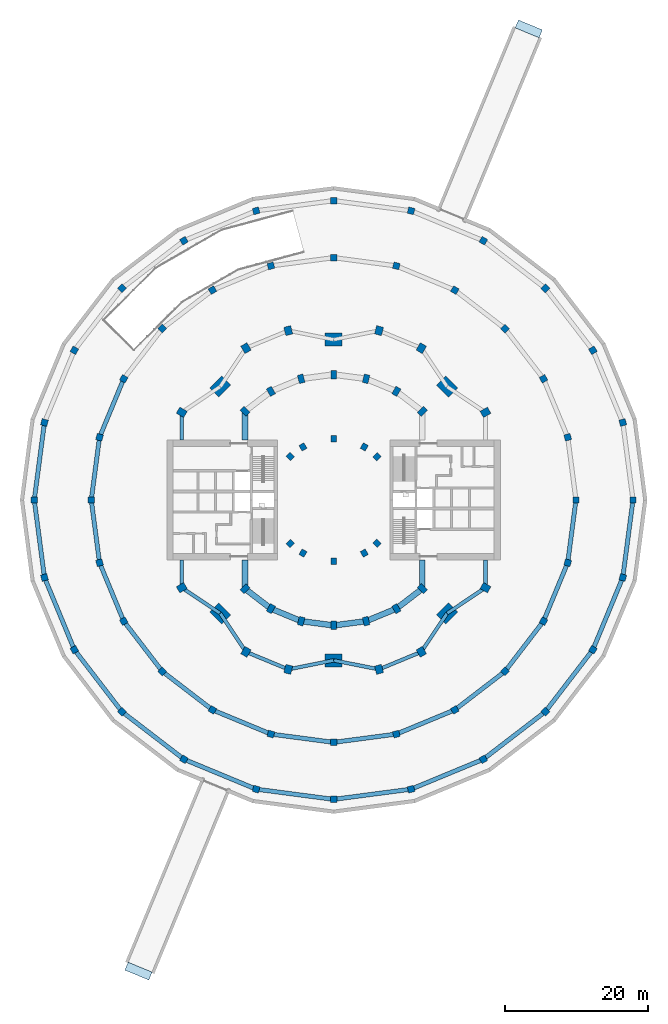
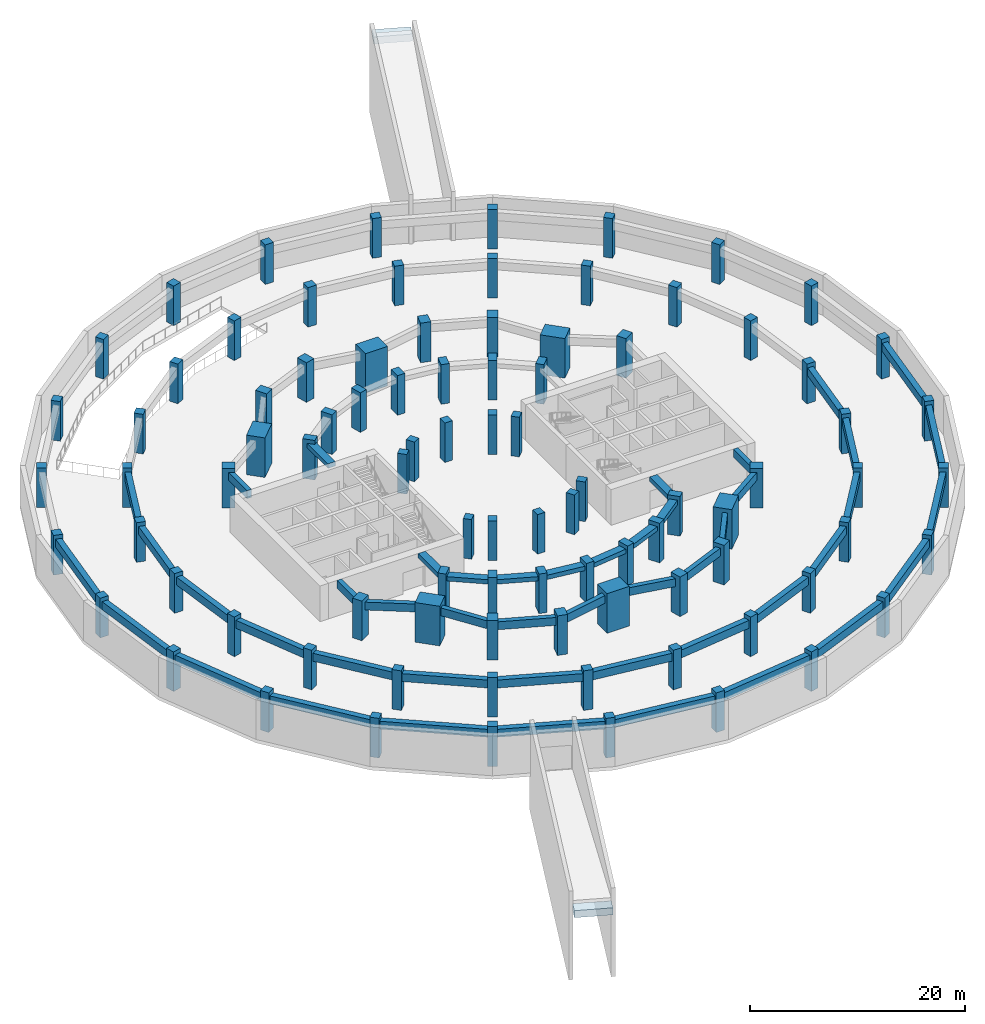
# One storey, part 1 of 7: 90 columns, 47 beams, 2 footings.
"""IFC4 building model written with IfcOpenShell, lengths in metres."""

import ifcopenshell
import ifcopenshell.guid

model = None  # the IFC model being written
_history = None  # IfcOwnerHistory: only IFC2X3 demands one
_inside = {}  # id of a spatial element -> (the spatial element, [elements in it])
_under = {}  # id of a project, library or spatial element -> (it, [spatial elements below it])
_declared = {}  # id of a project -> (the project, [libraries it declares])
_typed = {}  # id of a type object -> (the type object, [elements of that type])
_made_of = {}  # id of a material, layer set ... -> (it, [elements and type objects made of it])


def new_model(schema):
    """Start an empty IFC model of exactly this schema.

    Asked for "IFC4X3", IfcOpenShell would pick the latest addendum, in which some entities
    have other attributes; the version numbers below select the first issue.
    IFC2X3 requires an IfcOwnerHistory on every rooted entity: one is made here for all.
    """
    global model, _history
    if schema == "IFC4X3":
        model = ifcopenshell.file(schema_version=(4, 3, 0, 0))
    else:
        model = ifcopenshell.file(schema=schema)
    _inside.clear()
    _under.clear()
    _declared.clear()
    _typed.clear()
    _made_of.clear()
    _history = None
    if model.schema == "IFC2X3":
        org = make("IfcOrganization", Name="unknown")
        user = make(
            "IfcPersonAndOrganization",
            ThePerson=make("IfcPerson", FamilyName="unknown"),
            TheOrganization=org,
        )
        app = make(
            "IfcApplication",
            ApplicationDeveloper=org,
            Version="unknown",
            ApplicationFullName="unknown",
            ApplicationIdentifier="unknown",
        )
        _history = make(
            "IfcOwnerHistory",
            OwningUser=user,
            OwningApplication=app,
            ChangeAction="ADDED",
            CreationDate=0,
        )
    return model


def make(cls, **values):
    """One entity of the class cls with the attributes given. An attribute that is None is left unset."""
    return model.create_entity(
        cls, **{name: value for name, value in values.items() if value is not None}
    )


def rooted(cls, **values):
    """An entity with a GlobalId (a new one), such as an element, a storey or a relation."""
    return make(cls, GlobalId=ifcopenshell.guid.new(), OwnerHistory=_history, **values)


def si_unit(unit_type, name, prefix=None):
    """IfcSIUnit, for example si_unit("LENGTHUNIT", "METRE", prefix="MILLI")."""
    return make("IfcSIUnit", UnitType=unit_type, Prefix=prefix, Name=name)


def assignment(units):
    """IfcUnitAssignment: the units of a project."""
    return None if units is None else make("IfcUnitAssignment", Units=units)


def point(xyz):
    """IfcCartesianPoint."""
    return None if xyz is None else make("IfcCartesianPoint", Coordinates=xyz)


def direction(xyz):
    """IfcDirection."""
    return None if xyz is None else make("IfcDirection", DirectionRatios=xyz)


def frame(location, z_axis=None, x_axis=None):
    """IfcAxis2Placement3D, a coordinate frame: its origin and axes. An axis left out is left unset."""
    return make(
        "IfcAxis2Placement3D",
        Location=point(location),
        Axis=direction(z_axis),
        RefDirection=direction(x_axis),
    )


def frame_2d(location, x_axis=None):
    """IfcAxis2Placement2D, a coordinate frame in the plane: its origin and x axis."""
    return make(
        "IfcAxis2Placement2D", Location=point(location), RefDirection=direction(x_axis)
    )


def origin():
    """The frame at (0, 0, 0) with its axes left unset."""
    return frame((0.0, 0.0, 0.0))


def origin_2d():
    """The frame at (0, 0) in the plane with its x axis left unset."""
    return frame_2d((0.0, 0.0))


def place(relative_to, where):
    """IfcLocalPlacement: puts the frame where relative to a parent placement (None: the world)."""
    return make(
        "IfcLocalPlacement", PlacementRelTo=relative_to, RelativePlacement=where
    )


def context(
    kind, dimensions, precision=None, world=None, true_north=None, identifier=None
):
    """IfcGeometricRepresentationContext, for example the 3D "Model" context."""
    return make(
        "IfcGeometricRepresentationContext",
        ContextIdentifier=identifier,
        ContextType=kind,
        CoordinateSpaceDimension=dimensions,
        Precision=precision,
        WorldCoordinateSystem=world,
        TrueNorth=true_north,
    )


def subcontext(parent, identifier, kind, view, scale=None):
    """IfcGeometricRepresentationSubContext, for example "Body" below "Model"."""
    return make(
        "IfcGeometricRepresentationSubContext",
        ContextIdentifier=identifier,
        ContextType=kind,
        ParentContext=parent,
        TargetScale=scale,
        TargetView=view,
    )


def project(units=None, contexts=None):
    """IfcProject with its units and contexts."""
    return rooted(
        "IfcProject",
        Name="project",
        RepresentationContexts=contexts,
        UnitsInContext=assignment(units),
    )


def spatial(cls, under=None, at=None, **own):
    """A site, building, storey or space (cls), placed at a placement, below another one or the project."""
    s = rooted(cls, ObjectPlacement=at, **own)
    if under is not None:
        _under.setdefault(under.id(), (under, []))[1].append(s)
    return s


def polyline(points):
    """IfcPolyline through the points."""
    return make("IfcPolyline", Points=[point(p) for p in points])


def profile(cls, at=None, kind="AREA", **sizes):
    """A parametric profile (cls). Its sizes go by their IFC names, for example OverallWidth=200.0."""
    return make(cls, ProfileType=kind, Position=at, **sizes)


def rectangle(**sizes):
    """IfcRectangleProfileDef."""
    return profile("IfcRectangleProfileDef", **sizes)


def outline(outer, holes=None, kind="AREA"):
    """IfcArbitraryClosedProfileDef: a profile drawn as a closed curve; with holes, ...WithVoids."""
    if holes is None:
        return make("IfcArbitraryClosedProfileDef", ProfileType=kind, OuterCurve=outer)
    return make(
        "IfcArbitraryProfileDefWithVoids",
        ProfileType=kind,
        OuterCurve=outer,
        InnerCurves=holes,
    )


def extrude(swept, where, along, depth):
    """IfcExtrudedAreaSolid: the profile swept, set in the frame where, extruded along a direction by depth."""
    return make(
        "IfcExtrudedAreaSolid",
        SweptArea=swept,
        Position=where,
        ExtrudedDirection=direction(along),
        Depth=depth,
    )


def shape(context_of_items, identifier, shape_type, items):
    """IfcShapeRepresentation: the items that make up one representation, for example the "Body"."""
    return make(
        "IfcShapeRepresentation",
        ContextOfItems=context_of_items,
        RepresentationIdentifier=identifier,
        RepresentationType=shape_type,
        Items=items,
    )


def material(Name=None, Category=None):
    """IfcMaterial."""
    return make("IfcMaterial", Name=Name, Category=Category)


def layer(
    of_material, thickness, ventilated=None, Name=None, Category=None, Priority=None
):
    """IfcMaterialLayer: one layer of a wall or slab, of a material (None: an air gap)."""
    return make(
        "IfcMaterialLayer",
        Material=of_material,
        LayerThickness=thickness,
        IsVentilated=ventilated,
        Name=Name,
        Category=Category,
        Priority=Priority,
    )


def layer_set(layers, Name=None):
    """IfcMaterialLayerSet."""
    return make("IfcMaterialLayerSet", MaterialLayers=layers, LayerSetName=Name)


def material_profile(
    of_material, cross_section, Name=None, Category=None, Priority=None
):
    """IfcMaterialProfile: a cross section and its material."""
    return make(
        "IfcMaterialProfile",
        Name=Name,
        Material=of_material,
        Profile=cross_section,
        Priority=Priority,
        Category=Category,
    )


def profile_set(profiles, Name=None, composite=None):
    """IfcMaterialProfileSet."""
    return make(
        "IfcMaterialProfileSet",
        Name=Name,
        MaterialProfiles=profiles,
        CompositeProfile=composite,
    )


def made_of(thing, what):
    """Note that an element or type object is made of a material, layer set ...; save() writes the relation."""
    if what is not None:
        _made_of.setdefault(what.id(), (what, []))[1].append(thing)
    return thing


def type_object(cls, material=None, **own):
    """A type object (cls), such as IfcWallType, which elements share."""
    return made_of(rooted(cls, **own), material)


def element(
    cls,
    number,
    at=None,
    inside=None,
    cuts=None,
    type_object=None,
    material=None,
    context=None,
    identifier="Body",
    shape_type=None,
    held_by="IfcProductDefinitionShape",
    body=None,
    shapes=None,
    **own,
):
    """One element of the class cls, such as IfcWall. Its Tag is "e" and its number.

    at: its placement. inside: the storey or other place that contains it. cuts: it is an
    opening in that element (IfcRelVoidsElement). A single representation is given by context,
    identifier, shape_type and body (its items); several are given by shapes. held_by: the class
    of the entity that holds the representations. save() writes the other relations.
    """
    e = rooted(cls, Tag="e%d" % number, ObjectPlacement=at, **own)
    if body is not None:
        shapes = [shape(context, identifier, shape_type, body)]
    if shapes is not None:
        e.Representation = make(held_by, Representations=shapes)
    if inside is not None:
        _inside.setdefault(inside.id(), (inside, []))[1].append(e)
    if cuts is not None:
        rooted(
            "IfcRelVoidsElement", RelatingBuildingElement=cuts, RelatedOpeningElement=e
        )
    if type_object is not None:
        _typed.setdefault(type_object.id(), (type_object, []))[1].append(e)
    return made_of(e, material)


def aggregate(whole, parts):
    """IfcRelAggregates: a whole, such as a stair, and the parts it consists of."""
    return rooted("IfcRelAggregates", RelatingObject=whole, RelatedObjects=parts)


def save(model, path):
    """Write the relations noted so far, then the file.

    IfcRelAggregates (storeys below a building ...), IfcRelContainedInSpatialStructure (elements
    in a storey), IfcRelDefinesByType, IfcRelAssociatesMaterial and IfcRelDeclares: one each for
    every whole, place, type object, material and project.
    """
    for whole, parts in _under.values():
        aggregate(whole, parts)
    for where, things in _inside.values():
        rooted(
            "IfcRelContainedInSpatialStructure",
            RelatedElements=things,
            RelatingStructure=where,
        )
    for kind, things in _typed.values():
        rooted("IfcRelDefinesByType", RelatedObjects=things, RelatingType=kind)
    for what, things in _made_of.values():
        rooted("IfcRelAssociatesMaterial", RelatedObjects=things, RelatingMaterial=what)
    for by, libraries in _declared.values():
        rooted("IfcRelDeclares", RelatingContext=by, RelatedDefinitions=libraries)
    model.write(path)


model = new_model("IFC4")

# Units and contexts
model_context = context("Model", 3, precision=1e-05, world=origin(), true_north=direction((0.0, 1.0)))
body_context = subcontext(model_context, "Body", "Model", "MODEL_VIEW")
ifc_project = project(units=[si_unit("LENGTHUNIT", "METRE"), si_unit("AREAUNIT", "SQUARE_METRE"), si_unit("VOLUMEUNIT", "CUBIC_METRE"), si_unit("PLANEANGLEUNIT", "RADIAN"), si_unit("MASSUNIT", "GRAM", prefix="KILO")], contexts=[model_context])

# Site, building, storey
site_placement = place(None, origin())
site = spatial("IfcSite", under=ifc_project, at=site_placement, CompositionType="ELEMENT")
building_placement = place(site_placement, origin())
building = spatial("IfcBuilding", under=site, at=building_placement, Name="Torre Brocal", CompositionType="ELEMENT")
storey_placement = place(building_placement, frame((0.0, 0.0, -4.5)))
storey = spatial("IfcBuildingStorey", under=building, at=storey_placement, Name="B1", CompositionType="ELEMENT", Elevation=-4.5)

# Footings
ifc_material_1 = material(Name="Concrete C45", Category="concrete")
ifc_layer = layer(ifc_material_1, 0.800048828125)
ifc_layer_set = layer_set([ifc_layer], Name="Concrete C45")
footing_type = type_object("IfcFootingType", Name="RC RAMP HEAD FOOTING 800 C45", PredefinedType="STRIP_FOOTING", material=ifc_layer_set)
footing_1_placement = place(storey_placement, frame((0.0, 0.0, 3.304931640625)))
element("IfcFooting", 1, at=footing_1_placement, inside=storey, type_object=footing_type, Name="Footing RH-01", PredefinedType="STRIP_FOOTING", context=body_context, shape_type="SweptSolid", body=[
    extrude(outline(polyline([(51.18017578125, 10.152587890625), (50.720947265625, 9.0439453125), (54.0654296875, 7.65869140625), (54.524658203125, 8.767333984375), (51.18017578125, 10.152587890625)])), origin(), (0.0, 0.0, 1.0), 0.800048828125),
])
footing_2_placement = place(storey_placement, frame((0.0, 0.0, 3.304931640625)))
element("IfcFooting", 2, at=footing_2_placement, inside=storey, type_object=footing_type, Name="Footing RH-02", PredefinedType="STRIP_FOOTING", context=body_context, shape_type="SweptSolid", body=[
    extrude(outline(polyline([(108.81982421875, 139.847412109375), (109.279052734375, 140.9560546875), (105.9345703125, 142.34130859375), (105.475341796875, 141.232666015625), (108.81982421875, 139.847412109375)])), origin(), (0.0, 0.0, 1.0), 0.800048828125),
])

# Columns
ifc_material_2 = material(Name="Concrete C80", Category="concrete")
ifc_material_profile_1 = material_profile(ifc_material_2, rectangle(XDim=1.199951171875, YDim=1.0, at=origin_2d()), Name="RC 1200X1000")
ifc_profile_set_1 = profile_set([ifc_material_profile_1], Name="Concrete C80")
column_type_1 = type_object("IfcColumnType", Name="RC COLUMN 1200X1000 C80", PredefinedType="COLUMN", material=ifc_profile_set_1)
for number, where, z_axis, x_axis, name in (
    (3, (101.30419921875, 87.300048828125, 0.0), (0.0, 0.0, 1.0), (0.866025403784, 0.5, 0.0), "Column C-O02"),
    (4, (92.300048828125, 96.30419921875, 0.0), (0.0, 0.0, 1.0), (0.5, 0.866025403784, 0.0), "Column C-O04"),
    (5, (86.366943359375, 98.76171875, 0.0), (0.0, 0.0, 1.0), (0.258819045103, 0.965925826289, 0.0), "Column C-O05"),
    (6, (73.633056640625, 98.76171875, 0.0), (0.0, 0.0, 1.0), (-0.258819045103, 0.965925826289, 0.0), "Column C-O07"),
    (7, (67.699951171875, 96.30419921875, 0.0), (0.0, 0.0, 1.0), (-0.5, 0.866025403784, 0.0), "Column C-O08"),
    (8, (58.69580078125, 87.300048828125, 0.0), (0.0, 0.0, 1.0), (-0.866025403784, 0.5, 0.0), "Column C-O10"),
    (9, (58.69580078125, 62.699951171875, 0.0), (0.0, 0.0, 1.0), (-0.866025403784, -0.5, 0.0), "Column C-O14"),
    (10, (67.699951171875, 53.69580078125, 0.0), (0.0, 0.0, 1.0), (-0.5, -0.866025403784, 0.0), "Column C-O16"),
    (11, (73.633056640625, 51.23828125, 0.0), (0.0, 0.0, 1.0), (-0.258819045103, -0.965925826289, 0.0), "Column C-O17"),
    (12, (86.366943359375, 51.23828125, 0.0), (0.0, 0.0, 1.0), (0.258819045103, -0.965925826289, 0.0), "Column C-O19"),
    (13, (92.300048828125, 53.69580078125, 0.0), (0.0, 0.0, 1.0), (0.5, -0.866025403784, 0.0), "Column C-O20"),
    (14, (101.30419921875, 62.699951171875, 0.0), (0.0, 0.0, 1.0), (0.866025403784, -0.5, 0.0), "Column C-O22"),
):
    element("IfcColumn", number, at=place(storey_placement, frame(where, z_axis=z_axis, x_axis=x_axis)), inside=storey, type_object=column_type_1, Name=name, PredefinedType="COLUMN", context=body_context, shape_type="SweptSolid", body=[
        extrude(rectangle(XDim=1.199951171875, YDim=1.0, at=origin_2d()), origin(), (0.0, 0.0, 1.0), 4.5),
    ])
ifc_material_3 = material(Name="Concrete C80", Category="concrete")
ifc_material_profile_2 = material_profile(ifc_material_3, rectangle(XDim=1.199951171875, YDim=0.800048828125, at=origin_2d()), Name="RC 1200X800")
ifc_profile_set_2 = profile_set([ifc_material_profile_2], Name="Concrete C80")
column_type_2 = type_object("IfcColumnType", Name="RC COLUMN 1200X800 C80", PredefinedType="COLUMN", material=ifc_profile_set_2)
for number, where, z_axis, x_axis, name in (
    (15, (92.445068359375, 87.445068359375, 0.0), (0.0, 0.0, 1.0), (0.707106781187, 0.707106781187, 0.0), "Column C-M03"),
    (16, (88.800048828125, 90.241943359375, 0.0), (0.0, 0.0, 1.0), (0.5, 0.866025403784, 0.0), "Column C-M04"),
    (17, (84.55517578125, 92.000244140625, 0.0), (0.0, 0.0, 1.0), (0.258819045103, 0.965925826289, 0.0), "Column C-M05"),
    (18, (80.0, 92.60009765625, 0.0), (0.0, 0.0, 1.0), (0.0, 1.0, 0.0), "Column C-M06"),
    (19, (75.44482421875, 92.000244140625, 0.0), (0.0, 0.0, 1.0), (-0.258819045103, 0.965925826289, 0.0), "Column C-M07"),
    (20, (71.199951171875, 90.241943359375, 0.0), (0.0, 0.0, 1.0), (-0.5, 0.866025403784, 0.0), "Column C-M08"),
    (21, (67.554931640625, 87.445068359375, 0.0), (0.0, 0.0, 1.0), (-0.707106781187, 0.707106781187, 0.0), "Column C-M09"),
    (22, (67.554931640625, 62.554931640625, 0.0), (0.0, 0.0, 1.0), (-0.707106781187, -0.707106781187, 0.0), "Column C-M15"),
    (23, (71.199951171875, 59.758056640625, 0.0), (0.0, 0.0, 1.0), (-0.5, -0.866025403784, 0.0), "Column C-M16"),
    (24, (75.44482421875, 57.999755859375, 0.0), (0.0, 0.0, 1.0), (-0.258819045103, -0.965925826289, 0.0), "Column C-M17"),
    (25, (80.0, 57.39990234375, 0.0), (0.0, 0.0, 1.0), (0.0, -1.0, 0.0), "Column C-M18"),
    (26, (84.55517578125, 57.999755859375, 0.0), (0.0, 0.0, 1.0), (0.258819045103, -0.965925826289, 0.0), "Column C-M19"),
    (27, (88.800048828125, 59.758056640625, 0.0), (0.0, 0.0, 1.0), (0.5, -0.866025403784, 0.0), "Column C-M20"),
    (28, (92.445068359375, 62.554931640625, 0.0), (0.0, 0.0, 1.0), (0.707106781187, -0.707106781187, 0.0), "Column C-M21"),
):
    element("IfcColumn", number, at=place(storey_placement, frame(where, z_axis=z_axis, x_axis=x_axis)), inside=storey, type_object=column_type_2, Name=name, PredefinedType="COLUMN", context=body_context, shape_type="SweptSolid", body=[
        extrude(rectangle(XDim=1.199951171875, YDim=0.800048828125, at=origin_2d()), origin(), (0.0, 0.0, 1.0), 4.5),
    ])
ifc_material_4 = material(Name="Concrete C80", Category="concrete")
ifc_material_profile_3 = material_profile(ifc_material_4, rectangle(XDim=1.800048828125, YDim=2.39990234375, at=origin_2d()), Name="RC 1800X2400")
ifc_profile_set_3 = profile_set([ifc_material_profile_3], Name="Concrete C80")
column_type_3 = type_object("IfcColumnType", Name="RC COLUMN 1800X2400 C80", PredefinedType="COLUMN", material=ifc_profile_set_3)
for number, where, z_axis, x_axis, name in (
    (29, (95.909912109375, 90.909912109375, 0.0), (0.0, 0.0, 1.0), (0.707106781187, 0.707106781187, 0.0), "Column MC-1"),
    (30, (80.0, 97.5, 0.0), (0.0, 0.0, 1.0), (0.0, 1.0, 0.0), "Column MC-2"),
    (31, (64.090087890625, 90.909912109375, 0.0), (0.0, 0.0, 1.0), (-0.707106781187, 0.707106781187, 0.0), "Column MC-3"),
    (32, (64.090087890625, 59.090087890625, 0.0), (0.0, 0.0, 1.0), (-0.707106781187, -0.707106781187, 0.0), "Column MC-5"),
    (33, (80.0, 52.5, 0.0), (0.0, 0.0, 1.0), (0.0, -1.0, 0.0), "Column MC-6"),
    (34, (95.909912109375, 59.090087890625, 0.0), (0.0, 0.0, 1.0), (0.707106781187, -0.707106781187, 0.0), "Column MC-7"),
):
    element("IfcColumn", number, at=place(storey_placement, frame(where, z_axis=z_axis, x_axis=x_axis)), inside=storey, type_object=column_type_3, Name=name, PredefinedType="COLUMN", context=body_context, shape_type="SweptSolid", body=[
        extrude(rectangle(XDim=1.800048828125, YDim=2.39990234375, at=origin_2d()), origin(), (0.0, 0.0, 1.0), 4.5),
    ])
ifc_material_5 = material(Name="Concrete C80", Category="concrete")
ifc_material_profile_4 = material_profile(ifc_material_5, rectangle(XDim=0.89990234375, YDim=0.800048828125, at=origin_2d()), Name="RC 900X800")
ifc_profile_set_4 = profile_set([ifc_material_profile_4], Name="Concrete C80")
column_type_4 = type_object("IfcColumnType", Name="RC COLUMN 900X800 C80", PredefinedType="COLUMN", material=ifc_profile_set_4)
for number, where, z_axis, x_axis, name in (
    (35, (86.0810546875, 81.0810546875, 0.0), (0.0, 0.0, 1.0), (0.707106781187, 0.707106781187, 0.0), "Column C-I03"),
    (36, (84.300048828125, 82.44775390625, 0.0), (0.0, 0.0, 1.0), (0.5, 0.866025403784, 0.0), "Column C-I04"),
    (37, (80.0, 83.60009765625, 0.0), (0.0, 0.0, 1.0), (0.0, 1.0, 0.0), "Column C-I06"),
    (38, (75.699951171875, 82.44775390625, 0.0), (0.0, 0.0, 1.0), (-0.5, 0.866025403784, 0.0), "Column C-I08"),
    (39, (73.9189453125, 81.0810546875, 0.0), (0.0, 0.0, 1.0), (-0.707106781187, 0.707106781187, 0.0), "Column C-I09"),
    (40, (73.9189453125, 68.9189453125, 0.0), (0.0, 0.0, 1.0), (-0.707106781187, -0.707106781187, 0.0), "Column C-I15"),
    (41, (75.699951171875, 67.55224609375, 0.0), (0.0, 0.0, 1.0), (-0.5, -0.866025403784, 0.0), "Column C-I16"),
    (42, (80.0, 66.39990234375, 0.0), (0.0, 0.0, 1.0), (0.0, -1.0, 0.0), "Column C-I18"),
    (43, (84.300048828125, 67.55224609375, 0.0), (0.0, 0.0, 1.0), (0.5, -0.866025403784, 0.0), "Column C-I20"),
    (44, (86.0810546875, 68.9189453125, 0.0), (0.0, 0.0, 1.0), (0.707106781187, -0.707106781187, 0.0), "Column C-I21"),
):
    element("IfcColumn", number, at=place(storey_placement, frame(where, z_axis=z_axis, x_axis=x_axis)), inside=storey, type_object=column_type_4, Name=name, PredefinedType="COLUMN", context=body_context, shape_type="SweptSolid", body=[
        extrude(rectangle(XDim=0.89990234375, YDim=0.800048828125, at=origin_2d()), origin(), (0.0, 0.0, 1.0), 4.5),
    ])
ifc_material_6 = material(Name="Concrete C80", Category="concrete")
ifc_material_profile_5 = material_profile(ifc_material_6, rectangle(XDim=0.89990234375, YDim=0.89990234375, at=origin_2d()), Name="RC 900X900")
ifc_profile_set_5 = profile_set([ifc_material_profile_5], Name="Concrete C80")
column_type_5 = type_object("IfcColumnType", Name="RC COLUMN 900X900 C80", PredefinedType="COLUMN", material=ifc_profile_set_5)
for number, where, z_axis, x_axis, name in (
    (45, (122.0, 75.0, 0.0), (0.0, 0.0, 1.0), (1.0, 0.0, 0.0), "Column C-PA00"),
    (46, (120.56884765625, 85.870361328125, 0.0), (0.0, 0.0, 1.0), (0.965925826289, 0.258819045103, 0.0), "Column C-PA01"),
    (47, (116.373046875, 96.0, 0.0), (0.0, 0.0, 1.0), (0.866025403784, 0.5, 0.0), "Column C-PA02"),
    (48, (109.698486328125, 104.698486328125, 0.0), (0.0, 0.0, 1.0), (0.707106781187, 0.707106781187, 0.0), "Column C-PA03"),
    (49, (101.0, 111.373046875, 0.0), (0.0, 0.0, 1.0), (0.5, 0.866025403784, 0.0), "Column C-PA04"),
    (50, (90.870361328125, 115.56884765625, 0.0), (0.0, 0.0, 1.0), (0.258819045103, 0.965925826289, 0.0), "Column C-PA05"),
    (51, (80.0, 117.0, 0.0), (0.0, 0.0, 1.0), (0.0, 1.0, 0.0), "Column C-PA06"),
    (52, (69.129638671875, 115.56884765625, 0.0), (0.0, 0.0, 1.0), (-0.258819045103, 0.965925826289, 0.0), "Column C-PA07"),
    (53, (59.0, 111.373046875, 0.0), (0.0, 0.0, 1.0), (-0.5, 0.866025403784, 0.0), "Column C-PA08"),
    (54, (50.301513671875, 104.698486328125, 0.0), (0.0, 0.0, 1.0), (-0.707106781187, 0.707106781187, 0.0), "Column C-PA09"),
    (55, (43.626953125, 96.0, 0.0), (0.0, 0.0, 1.0), (-0.866025403784, 0.5, 0.0), "Column C-PA10"),
    (56, (39.43115234375, 85.870361328125, 0.0), (0.0, 0.0, 1.0), (-0.965925826289, 0.258819045103, 0.0), "Column C-PA11"),
    (57, (38.0, 75.0, 0.0), (0.0, 0.0, 1.0), (-1.0, 0.0, 0.0), "Column C-PA12"),
    (58, (39.43115234375, 64.129638671875, 0.0), (0.0, 0.0, 1.0), (-0.965925826289, -0.258819045103, 0.0), "Column C-PA13"),
    (59, (43.626953125, 54.0, 0.0), (0.0, 0.0, 1.0), (-0.866025403784, -0.5, 0.0), "Column C-PA14"),
    (60, (50.301513671875, 45.301513671875, 0.0), (0.0, 0.0, 1.0), (-0.707106781187, -0.707106781187, 0.0), "Column C-PA15"),
    (61, (59.0, 38.626953125, 0.0), (0.0, 0.0, 1.0), (-0.5, -0.866025403784, 0.0), "Column C-PA16"),
    (62, (69.129638671875, 34.43115234375, 0.0), (0.0, 0.0, 1.0), (-0.258819045103, -0.965925826289, 0.0), "Column C-PA17"),
    (63, (80.0, 33.0, 0.0), (0.0, 0.0, 1.0), (0.0, -1.0, 0.0), "Column C-PA18"),
    (64, (90.870361328125, 34.43115234375, 0.0), (0.0, 0.0, 1.0), (0.258819045103, -0.965925826289, 0.0), "Column C-PA19"),
    (65, (101.0, 38.626953125, 0.0), (0.0, 0.0, 1.0), (0.5, -0.866025403784, 0.0), "Column C-PA20"),
    (66, (109.698486328125, 45.301513671875, 0.0), (0.0, 0.0, 1.0), (0.707106781187, -0.707106781187, 0.0), "Column C-PA21"),
    (67, (116.373046875, 54.0, 0.0), (0.0, 0.0, 1.0), (0.866025403784, -0.5, 0.0), "Column C-PA22"),
    (68, (120.56884765625, 64.129638671875, 0.0), (0.0, 0.0, 1.0), (0.965925826289, -0.258819045103, 0.0), "Column C-PA23"),
    (69, (114.0, 75.0, 0.0), (0.0, 0.0, 1.0), (1.0, 0.0, 0.0), "Column C-PC00"),
    (70, (112.841552734375, 83.7998046875, 0.0), (0.0, 0.0, 1.0), (0.965925826289, 0.258819045103, 0.0), "Column C-PC01"),
    (71, (109.44482421875, 92.0, 0.0), (0.0, 0.0, 1.0), (0.866025403784, 0.5, 0.0), "Column C-PC02"),
    (72, (104.041748046875, 99.041748046875, 0.0), (0.0, 0.0, 1.0), (0.707106781187, 0.707106781187, 0.0), "Column C-PC03"),
    (73, (97.0, 104.44482421875, 0.0), (0.0, 0.0, 1.0), (0.5, 0.866025403784, 0.0), "Column C-PC04"),
    (74, (88.7998046875, 107.841552734375, 0.0), (0.0, 0.0, 1.0), (0.258819045103, 0.965925826289, 0.0), "Column C-PC05"),
    (75, (80.0, 109.0, 0.0), (0.0, 0.0, 1.0), (0.0, 1.0, 0.0), "Column C-PC06"),
    (76, (71.2001953125, 107.841552734375, 0.0), (0.0, 0.0, 1.0), (-0.258819045103, 0.965925826289, 0.0), "Column C-PC07"),
    (77, (63.0, 104.44482421875, 0.0), (0.0, 0.0, 1.0), (-0.5, 0.866025403784, 0.0), "Column C-PC08"),
    (78, (55.958251953125, 99.041748046875, 0.0), (0.0, 0.0, 1.0), (-0.707106781187, 0.707106781187, 0.0), "Column C-PC09"),
    (79, (50.55517578125, 92.0, 0.0), (0.0, 0.0, 1.0), (-0.866025403784, 0.5, 0.0), "Column C-PC10"),
    (80, (47.158447265625, 83.7998046875, 0.0), (0.0, 0.0, 1.0), (-0.965925826289, 0.258819045103, 0.0), "Column C-PC11"),
    (81, (46.0, 75.0, 0.0), (0.0, 0.0, 1.0), (-1.0, 0.0, 0.0), "Column C-PC12"),
    (82, (47.158447265625, 66.2001953125, 0.0), (0.0, 0.0, 1.0), (-0.965925826289, -0.258819045103, 0.0), "Column C-PC13"),
    (83, (50.55517578125, 58.0, 0.0), (0.0, 0.0, 1.0), (-0.866025403784, -0.5, 0.0), "Column C-PC14"),
    (84, (55.958251953125, 50.958251953125, 0.0), (0.0, 0.0, 1.0), (-0.707106781187, -0.707106781187, 0.0), "Column C-PC15"),
    (85, (63.0, 45.55517578125, 0.0), (0.0, 0.0, 1.0), (-0.5, -0.866025403784, 0.0), "Column C-PC16"),
    (86, (71.2001953125, 42.158447265625, 0.0), (0.0, 0.0, 1.0), (-0.258819045103, -0.965925826289, 0.0), "Column C-PC17"),
    (87, (80.0, 41.0, 0.0), (0.0, 0.0, 1.0), (0.0, -1.0, 0.0), "Column C-PC18"),
    (88, (88.7998046875, 42.158447265625, 0.0), (0.0, 0.0, 1.0), (0.258819045103, -0.965925826289, 0.0), "Column C-PC19"),
    (89, (97.0, 45.55517578125, 0.0), (0.0, 0.0, 1.0), (0.5, -0.866025403784, 0.0), "Column C-PC20"),
    (90, (104.041748046875, 50.958251953125, 0.0), (0.0, 0.0, 1.0), (0.707106781187, -0.707106781187, 0.0), "Column C-PC21"),
    (91, (109.44482421875, 58.0, 0.0), (0.0, 0.0, 1.0), (0.866025403784, -0.5, 0.0), "Column C-PC22"),
    (92, (112.841552734375, 66.2001953125, 0.0), (0.0, 0.0, 1.0), (0.965925826289, -0.258819045103, 0.0), "Column C-PC23"),
):
    element("IfcColumn", number, at=place(storey_placement, frame(where, z_axis=z_axis, x_axis=x_axis)), inside=storey, type_object=column_type_5, Name=name, PredefinedType="COLUMN", context=body_context, shape_type="SweptSolid", body=[
        extrude(rectangle(XDim=0.89990234375, YDim=0.89990234375, at=origin_2d()), origin(), (0.0, 0.0, 1.0), 4.5),
    ])

# Beams
ifc_material_7 = material(Name="Concrete C50", Category="concrete")
ifc_material_profile_6 = material_profile(ifc_material_7, rectangle(XDim=0.60009765625, YDim=0.89990234375, at=origin_2d()), Name="RC 600X900")
ifc_profile_set_6 = profile_set([ifc_material_profile_6], Name="Concrete C50")
beam_type_1 = type_object("IfcBeamType", Name="RC BEAM 600X900 C50 TOP 4050", PredefinedType="BEAM", material=ifc_profile_set_6)
for number, where, z_axis, x_axis, name in (
    (93, (39.43115234375, 85.870361328125, 3.60009765625), (-0.130529968843, -0.991444364165, 0.0), (0.991444364165, -0.130529968843, 0.0), "Beam BT-04"),
    (94, (38.0, 75.0, 3.60009765625), (0.130529968843, -0.991444364165, 0.0), (0.991444364165, 0.130529968843, 0.0), "Beam BT-04"),
    (95, (39.43115234375, 64.129638671875, 3.60009765625), (0.382680868131, -0.923880594648, 0.0), (0.923880594648, 0.382680868131, 0.0), "Beam BT-04"),
    (96, (43.626953125, 54.0, 3.60009765625), (0.608760122032, -0.793354343168, 0.0), (0.793354343168, 0.608760122032, 0.0), "Beam BT-04"),
    (97, (50.301513671875, 45.301513671875, 3.60009765625), (0.793354343168, -0.608760122032, 0.0), (0.608760122032, 0.793354343168, 0.0), "Beam BT-04"),
    (98, (59.0, 38.626953125, 3.60009765625), (0.923880594648, -0.382680868131, 0.0), (0.382680868131, 0.923880594648, 0.0), "Beam BT-04"),
    (99, (69.129638671875, 34.43115234375, 3.60009765625), (0.991444364165, -0.130529968843, 0.0), (0.130529968843, 0.991444364165, 0.0), "Beam BT-04"),
    (100, (80.0, 33.0, 3.60009765625), (0.991444364165, 0.130529968843, 0.0), (-0.130529968843, 0.991444364165, 0.0), "Beam BT-04"),
    (101, (90.870361328125, 34.43115234375, 3.60009765625), (0.923880594648, 0.382680868131, 0.0), (-0.382680868131, 0.923880594648, 0.0), "Beam BT-04"),
    (102, (101.0, 38.626953125, 3.60009765625), (0.793354343168, 0.608760122032, 0.0), (-0.608760122032, 0.793354343168, 0.0), "Beam BT-04"),
    (103, (109.698486328125, 45.301513671875, 3.60009765625), (0.608760122032, 0.793354343168, 0.0), (-0.793354343168, 0.608760122032, 0.0), "Beam BT-04"),
    (104, (116.373046875, 54.0, 3.60009765625), (0.382680868131, 0.923880594648, 0.0), (-0.923880594648, 0.382680868131, 0.0), "Beam BT-04"),
    (105, (120.56884765625, 64.129638671875, 3.60009765625), (0.130529968843, 0.991444364165, 0.0), (-0.991444364165, 0.130529968843, 0.0), "Beam BT-04"),
):
    element("IfcBeam", number, at=place(storey_placement, frame(where, z_axis=z_axis, x_axis=x_axis)), inside=storey, type_object=beam_type_1, Name=name, PredefinedType="BEAM", context=body_context, shape_type="SweptSolid", body=[
        extrude(rectangle(XDim=0.60009765625, YDim=0.89990234375, at=origin_2d()), origin(), (0.0, 0.0, 1.0), 10.964111328125),
    ])
beam_1_placement = place(storey_placement, frame((50.55517578125, 92.0, 3.60009765625), z_axis=(-0.382692703012, -0.923875692429, 0.0), x_axis=(0.923875692429, -0.382692703012, 0.0)))
element("IfcBeam", 106, at=beam_1_placement, inside=storey, type_object=beam_type_1, Name="Beam BT-04", PredefinedType="BEAM", context=body_context, shape_type="SweptSolid", body=[
    extrude(rectangle(XDim=0.60009765625, YDim=0.89990234375, at=origin_2d()), origin(), (0.0, 0.0, 1.0), 8.8759765625),
])
for number, where, z_axis, x_axis, name in (
    (107, (47.158447265625, 83.7998046875, 3.60009765625), (-0.130518550679, -0.991445867372, 0.0), (0.991445867372, -0.130518550679, 0.0), "Beam BT-04"),
    (108, (46.0, 75.0, 3.60009765625), (0.130518550679, -0.991445867372, 0.0), (0.991445867372, 0.130518550679, 0.0), "Beam BT-04"),
):
    element("IfcBeam", number, at=place(storey_placement, frame(where, z_axis=z_axis, x_axis=x_axis)), inside=storey, type_object=beam_type_1, Name=name, PredefinedType="BEAM", context=body_context, shape_type="SweptSolid", body=[
        extrude(rectangle(XDim=0.60009765625, YDim=0.89990234375, at=origin_2d()), origin(), (0.0, 0.0, 1.0), 8.875732421875),
    ])
beam_2_placement = place(storey_placement, frame((47.158447265625, 66.2001953125, 3.60009765625), z_axis=(0.382692703012, -0.923875692429, 0.0), x_axis=(0.923875692429, 0.382692703012, 0.0)))
element("IfcBeam", 109, at=beam_2_placement, inside=storey, type_object=beam_type_1, Name="Beam BT-04", PredefinedType="BEAM", context=body_context, shape_type="SweptSolid", body=[
    extrude(rectangle(XDim=0.60009765625, YDim=0.89990234375, at=origin_2d()), origin(), (0.0, 0.0, 1.0), 8.8759765625),
])
for number, where, z_axis, x_axis, name in (
    (110, (50.55517578125, 58.0, 3.60009765625), (0.608743902882, -0.793366788253, 0.0), (0.793366788253, 0.608743902882, 0.0), "Beam BT-04"),
    (111, (55.958251953125, 50.958251953125, 3.60009765625), (0.793366788253, -0.608743902882, 0.0), (0.608743902882, 0.793366788253, 0.0), "Beam BT-04"),
):
    element("IfcBeam", number, at=place(storey_placement, frame(where, z_axis=z_axis, x_axis=x_axis)), inside=storey, type_object=beam_type_1, Name=name, PredefinedType="BEAM", context=body_context, shape_type="SweptSolid", body=[
        extrude(rectangle(XDim=0.60009765625, YDim=0.89990234375, at=origin_2d()), origin(), (0.0, 0.0, 1.0), 8.875732421875),
    ])
beam_3_placement = place(storey_placement, frame((63.0, 45.55517578125, 3.60009765625), z_axis=(0.923875692429, -0.382692703012, 0.0), x_axis=(0.382692703012, 0.923875692429, 0.0)))
element("IfcBeam", 112, at=beam_3_placement, inside=storey, type_object=beam_type_1, Name="Beam BT-04", PredefinedType="BEAM", context=body_context, shape_type="SweptSolid", body=[
    extrude(rectangle(XDim=0.60009765625, YDim=0.89990234375, at=origin_2d()), origin(), (0.0, 0.0, 1.0), 8.8759765625),
])
for number, where, z_axis, x_axis, name in (
    (113, (71.2001953125, 42.158447265625, 3.60009765625), (0.991445867372, -0.130518550679, 0.0), (0.130518550679, 0.991445867372, 0.0), "Beam BT-04"),
    (114, (80.0, 41.0, 3.60009765625), (0.991445867372, 0.130518550679, 0.0), (-0.130518550679, 0.991445867372, 0.0), "Beam BT-04"),
):
    element("IfcBeam", number, at=place(storey_placement, frame(where, z_axis=z_axis, x_axis=x_axis)), inside=storey, type_object=beam_type_1, Name=name, PredefinedType="BEAM", context=body_context, shape_type="SweptSolid", body=[
        extrude(rectangle(XDim=0.60009765625, YDim=0.89990234375, at=origin_2d()), origin(), (0.0, 0.0, 1.0), 8.875732421875),
    ])
beam_4_placement = place(storey_placement, frame((88.7998046875, 42.158447265625, 3.60009765625), z_axis=(0.923875692429, 0.382692703012, 0.0), x_axis=(-0.382692703012, 0.923875692429, 0.0)))
element("IfcBeam", 115, at=beam_4_placement, inside=storey, type_object=beam_type_1, Name="Beam BT-04", PredefinedType="BEAM", context=body_context, shape_type="SweptSolid", body=[
    extrude(rectangle(XDim=0.60009765625, YDim=0.89990234375, at=origin_2d()), origin(), (0.0, 0.0, 1.0), 8.8759765625),
])
for number, where, z_axis, x_axis, name in (
    (116, (97.0, 45.55517578125, 3.60009765625), (0.793366788253, 0.608743902882, 0.0), (-0.608743902882, 0.793366788253, 0.0), "Beam BT-04"),
    (117, (104.041748046875, 50.958251953125, 3.60009765625), (0.608743902882, 0.793366788253, 0.0), (-0.793366788253, 0.608743902882, 0.0), "Beam BT-04"),
):
    element("IfcBeam", number, at=place(storey_placement, frame(where, z_axis=z_axis, x_axis=x_axis)), inside=storey, type_object=beam_type_1, Name=name, PredefinedType="BEAM", context=body_context, shape_type="SweptSolid", body=[
        extrude(rectangle(XDim=0.60009765625, YDim=0.89990234375, at=origin_2d()), origin(), (0.0, 0.0, 1.0), 8.875732421875),
    ])
beam_5_placement = place(storey_placement, frame((109.44482421875, 58.0, 3.60009765625), z_axis=(0.382692703012, 0.923875692429, 0.0), x_axis=(-0.923875692429, 0.382692703012, 0.0)))
element("IfcBeam", 118, at=beam_5_placement, inside=storey, type_object=beam_type_1, Name="Beam BT-04", PredefinedType="BEAM", context=body_context, shape_type="SweptSolid", body=[
    extrude(rectangle(XDim=0.60009765625, YDim=0.89990234375, at=origin_2d()), origin(), (0.0, 0.0, 1.0), 8.8759765625),
])
beam_6_placement = place(storey_placement, frame((112.841552734375, 66.2001953125, 3.60009765625), z_axis=(0.130518550679, 0.991445867372, 0.0), x_axis=(-0.991445867372, 0.130518550679, 0.0)))
element("IfcBeam", 119, at=beam_6_placement, inside=storey, type_object=beam_type_1, Name="Beam BT-04", PredefinedType="BEAM", context=body_context, shape_type="SweptSolid", body=[
    extrude(rectangle(XDim=0.60009765625, YDim=0.89990234375, at=origin_2d()), origin(), (0.0, 0.0, 1.0), 8.875732421875),
])
ifc_material_8 = material(Name="Concrete C50", Category="concrete")
ifc_material_profile_7 = material_profile(ifc_material_8, rectangle(XDim=0.800048828125, YDim=0.5, at=origin_2d()), Name="RC 800X500")
ifc_profile_set_7 = profile_set([ifc_material_profile_7], Name="Concrete C50")
beam_type_2 = type_object("IfcBeamType", Name="RC BEAM 800X500 C50 TOP 4050", PredefinedType="BEAM", material=ifc_profile_set_7)
for number, where, z_axis, x_axis, name in (
    (120, (67.554931640625, 87.445068359375, 3.800048828125), (0.0, -1.0, 0.0), (1.0, 0.0, 0.0), "Beam BT-05"),
    (121, (67.554931640625, 62.554931640625, 3.800048828125), (0.0, 1.0, 0.0), (-1.0, 0.0, 0.0), "Beam BT-05"),
):
    element("IfcBeam", number, at=place(storey_placement, frame(where, z_axis=z_axis, x_axis=x_axis)), inside=storey, type_object=beam_type_2, Name=name, PredefinedType="BEAM", context=body_context, shape_type="SweptSolid", body=[
        extrude(rectangle(XDim=0.800048828125, YDim=0.5, at=origin_2d()), origin(), (0.0, 0.0, 1.0), 4.045166015625),
    ])
beam_7_placement = place(storey_placement, frame((67.554931640625, 62.554931640625, 3.800048828125), z_axis=(0.793358265959, -0.6087550097, 0.0), x_axis=(0.6087550097, 0.793358265959, 0.0)))
element("IfcBeam", 122, at=beam_7_placement, inside=storey, type_object=beam_type_2, Name="Beam BT-05", PredefinedType="BEAM", context=body_context, shape_type="SweptSolid", body=[
    extrude(rectangle(XDim=0.800048828125, YDim=0.5, at=origin_2d()), origin(), (0.0, 0.0, 1.0), 4.594482421875),
])
beam_8_placement = place(storey_placement, frame((71.199951171875, 59.758056640625, 3.800048828125), z_axis=(0.923878240166, -0.382686552348, 0.0), x_axis=(0.382686552348, 0.923878240166, 0.0)))
element("IfcBeam", 123, at=beam_8_placement, inside=storey, type_object=beam_type_2, Name="Beam BT-05", PredefinedType="BEAM", context=body_context, shape_type="SweptSolid", body=[
    extrude(rectangle(XDim=0.800048828125, YDim=0.5, at=origin_2d()), origin(), (0.0, 0.0, 1.0), 4.5947265625),
])
for number, where, z_axis, x_axis, name in (
    (124, (75.44482421875, 57.999755859375, 3.800048828125), (0.991440544449, -0.130558978332, 0.0), (0.130558978332, 0.991440544449, 0.0), "Beam BT-05"),
    (125, (80.0, 57.39990234375, 3.800048828125), (0.991440544449, 0.130558978332, 0.0), (-0.130558978332, 0.991440544449, 0.0), "Beam BT-05"),
):
    element("IfcBeam", number, at=place(storey_placement, frame(where, z_axis=z_axis, x_axis=x_axis)), inside=storey, type_object=beam_type_2, Name=name, PredefinedType="BEAM", context=body_context, shape_type="SweptSolid", body=[
        extrude(rectangle(XDim=0.800048828125, YDim=0.5, at=origin_2d()), origin(), (0.0, 0.0, 1.0), 4.594482421875),
    ])
beam_9_placement = place(storey_placement, frame((84.55517578125, 57.999755859375, 3.800048828125), z_axis=(0.923878240166, 0.382686552348, 0.0), x_axis=(-0.382686552348, 0.923878240166, 0.0)))
element("IfcBeam", 126, at=beam_9_placement, inside=storey, type_object=beam_type_2, Name="Beam BT-05", PredefinedType="BEAM", context=body_context, shape_type="SweptSolid", body=[
    extrude(rectangle(XDim=0.800048828125, YDim=0.5, at=origin_2d()), origin(), (0.0, 0.0, 1.0), 4.5947265625),
])
beam_10_placement = place(storey_placement, frame((88.800048828125, 59.758056640625, 3.800048828125), z_axis=(0.793358265959, 0.6087550097, 0.0), x_axis=(-0.6087550097, 0.793358265959, 0.0)))
element("IfcBeam", 127, at=beam_10_placement, inside=storey, type_object=beam_type_2, Name="Beam BT-05", PredefinedType="BEAM", context=body_context, shape_type="SweptSolid", body=[
    extrude(rectangle(XDim=0.800048828125, YDim=0.5, at=origin_2d()), origin(), (0.0, 0.0, 1.0), 4.594482421875),
])
beam_11_placement = place(storey_placement, frame((92.445068359375, 62.554931640625, 3.800048828125), z_axis=(0.0, 1.0, 0.0), x_axis=(-1.0, 0.0, 0.0)))
element("IfcBeam", 128, at=beam_11_placement, inside=storey, type_object=beam_type_2, Name="Beam BT-05", PredefinedType="BEAM", context=body_context, shape_type="SweptSolid", body=[
    extrude(rectangle(XDim=0.800048828125, YDim=0.5, at=origin_2d()), origin(), (0.0, 0.0, 1.0), 4.045166015625),
])
ifc_material_9 = material(Name="Concrete C50", Category="concrete")
ifc_material_profile_8 = material_profile(ifc_material_9, rectangle(XDim=0.5, YDim=0.89990234375, at=origin_2d()), Name="RC 500X900")
ifc_profile_set_8 = profile_set([ifc_material_profile_8], Name="Concrete C50")
beam_type_3 = type_object("IfcBeamType", Name="RC SPANDREL BEAM 500X900 C50 TOP 4050", PredefinedType="SPANDREL", material=ifc_profile_set_8)
for number, where, z_axis, x_axis, name in (
    (129, (58.69580078125, 87.300048828125, 3.60009765625), (0.0, -1.0, 0.0), (1.0, 0.0, 0.0), "Beam BT-06"),
    (130, (58.69580078125, 62.699951171875, 3.60009765625), (0.0, 1.0, 0.0), (-1.0, 0.0, 0.0), "Beam BT-06"),
):
    element("IfcBeam", number, at=place(storey_placement, frame(where, z_axis=z_axis, x_axis=x_axis)), inside=storey, type_object=beam_type_3, Name=name, PredefinedType="SPANDREL", context=body_context, shape_type="SweptSolid", body=[
        extrude(rectangle(XDim=0.5, YDim=0.89990234375, at=origin_2d()), origin(), (0.0, 0.0, 1.0), 3.900146484375),
    ])
for number, where, z_axis, x_axis, name in (
    (131, (58.69580078125, 62.699951171875, 3.60009765625), (0.831076844476, -0.556157602282, 0.0), (0.556157602282, 0.831076844476, 0.0), "Beam BT-06"),
    (132, (64.090087890625, 59.090087890625, 3.60009765625), (0.556157602282, -0.831076844476, 0.0), (0.831076844476, 0.556157602282, 0.0), "Beam BT-06"),
):
    element("IfcBeam", number, at=place(storey_placement, frame(where, z_axis=z_axis, x_axis=x_axis)), inside=storey, type_object=beam_type_3, Name=name, PredefinedType="SPANDREL", context=body_context, shape_type="SweptSolid", body=[
        extrude(rectangle(XDim=0.5, YDim=0.89990234375, at=origin_2d()), origin(), (0.0, 0.0, 1.0), 6.49072265625),
    ])
beam_12_placement = place(storey_placement, frame((67.699951171875, 53.69580078125, 3.60009765625), z_axis=(0.923882462513, -0.382676358639, 0.0), x_axis=(0.382676358639, 0.923882462513, 0.0)))
element("IfcBeam", 133, at=beam_12_placement, inside=storey, type_object=beam_type_3, Name="Beam BT-06", PredefinedType="SPANDREL", context=body_context, shape_type="SweptSolid", body=[
    extrude(rectangle(XDim=0.5, YDim=0.89990234375, at=origin_2d()), origin(), (0.0, 0.0, 1.0), 6.421875),
])
for number, where, z_axis, x_axis, name in (
    (134, (73.633056640625, 51.23828125, 3.60009765625), (0.980924907484, 0.194387051723, 0.0), (-0.194387051723, 0.980924907484, 0.0), "Beam BT-06"),
    (135, (80.0, 52.5, 3.60009765625), (0.980924907484, -0.194387051723, 0.0), (0.194387051723, 0.980924907484, 0.0), "Beam BT-06"),
):
    element("IfcBeam", number, at=place(storey_placement, frame(where, z_axis=z_axis, x_axis=x_axis)), inside=storey, type_object=beam_type_3, Name=name, PredefinedType="SPANDREL", context=body_context, shape_type="SweptSolid", body=[
        extrude(rectangle(XDim=0.5, YDim=0.89990234375, at=origin_2d()), origin(), (0.0, 0.0, 1.0), 6.49072265625),
    ])
beam_13_placement = place(storey_placement, frame((86.366943359375, 51.23828125, 3.60009765625), z_axis=(0.923882462513, 0.382676358639, 0.0), x_axis=(-0.382676358639, 0.923882462513, 0.0)))
element("IfcBeam", 136, at=beam_13_placement, inside=storey, type_object=beam_type_3, Name="Beam BT-06", PredefinedType="SPANDREL", context=body_context, shape_type="SweptSolid", body=[
    extrude(rectangle(XDim=0.5, YDim=0.89990234375, at=origin_2d()), origin(), (0.0, 0.0, 1.0), 6.421875),
])
for number, where, z_axis, x_axis, name in (
    (137, (92.300048828125, 53.69580078125, 3.60009765625), (0.556157602282, 0.831076844476, 0.0), (-0.831076844476, 0.556157602282, 0.0), "Beam BT-06"),
    (138, (95.909912109375, 59.090087890625, 3.60009765625), (0.831076844476, 0.556157602282, 0.0), (-0.556157602282, 0.831076844476, 0.0), "Beam BT-06"),
):
    element("IfcBeam", number, at=place(storey_placement, frame(where, z_axis=z_axis, x_axis=x_axis)), inside=storey, type_object=beam_type_3, Name=name, PredefinedType="SPANDREL", context=body_context, shape_type="SweptSolid", body=[
        extrude(rectangle(XDim=0.5, YDim=0.89990234375, at=origin_2d()), origin(), (0.0, 0.0, 1.0), 6.49072265625),
    ])
beam_14_placement = place(storey_placement, frame((101.30419921875, 62.699951171875, 3.60009765625), z_axis=(0.0, 1.0, 0.0), x_axis=(-1.0, 0.0, 0.0)))
element("IfcBeam", 139, at=beam_14_placement, inside=storey, type_object=beam_type_3, Name="Beam BT-06", PredefinedType="SPANDREL", context=body_context, shape_type="SweptSolid", body=[
    extrude(rectangle(XDim=0.5, YDim=0.89990234375, at=origin_2d()), origin(), (0.0, 0.0, 1.0), 3.900146484375),
])

save(model, "model.ifc")
